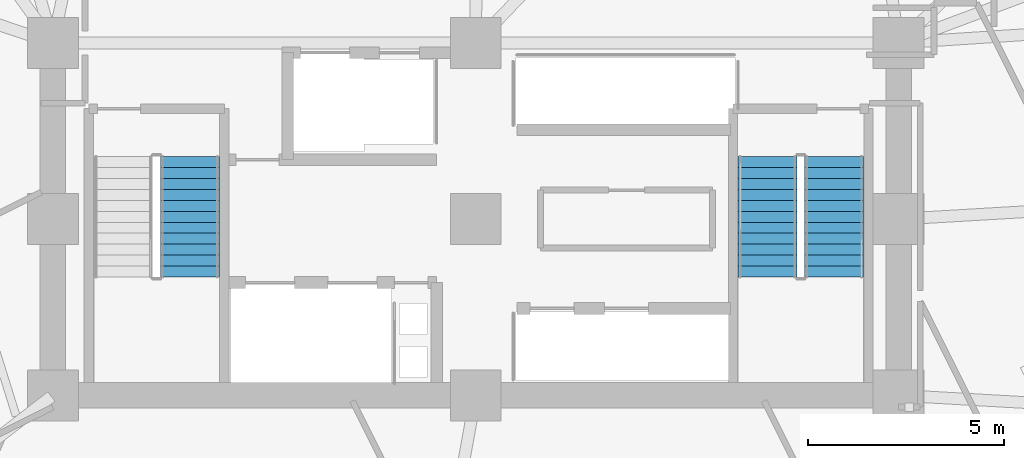
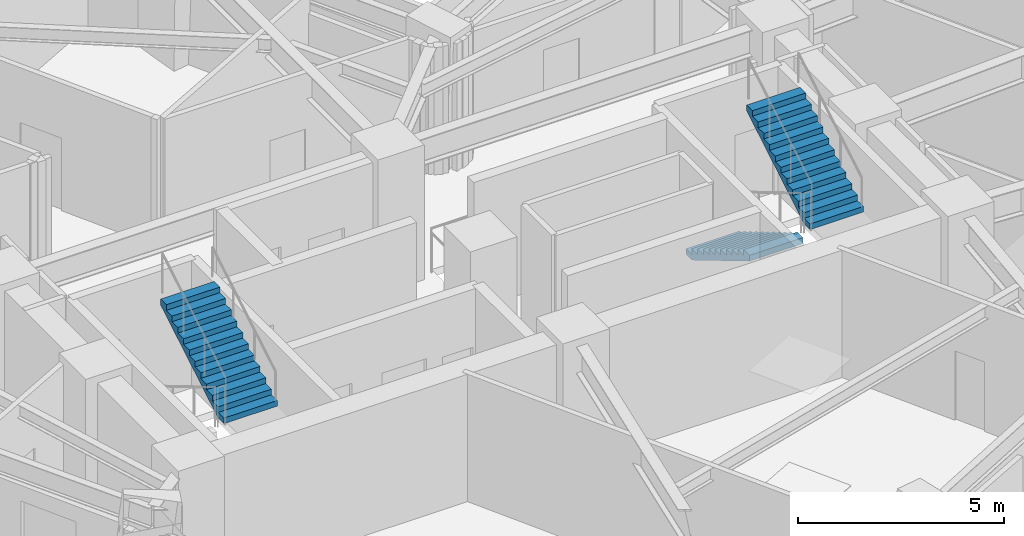
# One storey, part 12 of 16: 3 stair flights, 2 elements without a shape of their own.
"""IFC4 building model written with IfcOpenShell, lengths in metres."""

from ifc_helpers import new_model, si_unit, direction, frame, origin, place, context, subcontext, project, spatial, polyline, outline, extrude, material, type_object, element, aggregate, save


model = new_model("IFC4")

# Units and contexts
model_context = context("Model", 3, precision=1e-05, world=origin(), true_north=direction((0.0, 1.0)))
body_context = subcontext(model_context, "Body", "Model", "MODEL_VIEW")
ifc_project = project(units=[si_unit("LENGTHUNIT", "METRE"), si_unit("AREAUNIT", "SQUARE_METRE"), si_unit("VOLUMEUNIT", "CUBIC_METRE"), si_unit("PLANEANGLEUNIT", "RADIAN"), si_unit("MASSUNIT", "GRAM", prefix="KILO")], contexts=[model_context])

# Site, building, storey
site_placement = place(None, origin())
site = spatial("IfcSite", under=ifc_project, at=site_placement, CompositionType="ELEMENT")
building_placement = place(site_placement, origin())
building = spatial("IfcBuilding", under=site, at=building_placement, Name="Gaonmaruhae Medical Tower", CompositionType="ELEMENT")
storey_placement = place(building_placement, frame((0.0, 0.0, 136.39990234375)))
storey = spatial("IfcBuildingStorey", under=building, at=storey_placement, Name="L32", CompositionType="ELEMENT", Elevation=136.39990234375)

# Stair, stair flight
ifc_material = material(Name="Concrete C40/50", Category="concrete")
stair_type = type_object("IfcStairType", Name="ST-T1 Primary Core Escape Dogleg Stair", PredefinedType="TWO_QUARTER_TURN_STAIR", material=ifc_material)
stair_1_placement = place(storey_placement, origin())
stair_1 = element("IfcStair", 1, at=stair_1_placement, inside=storey, type_object=stair_type, Name="L32 Protected Escape Stair ST-01", PredefinedType="TWO_QUARTER_TURN_STAIR")
stair_flight_type = type_object("IfcStairFlightType", Name="SF-T1 Primary Core Precast Stair Flight", PredefinedType="STRAIGHT", material=ifc_material)
stair_flight_1_placement = place(storey_placement, frame((17.5, 10.820068359375, 2.0), z_axis=(0.0, 0.0, 1.0), x_axis=(0.0, 1.0, 0.0)))
stair_flight_1 = element("IfcStairFlight", 2, at=stair_flight_1_placement, type_object=stair_flight_type, Name="ST-01 flight 2", NumberOfRisers=12, NumberOfTreads=11, PredefinedType="STRAIGHT", RiserHeight=0.166666667, TreadLength=0.28, context=body_context, shape_type="SweptSolid", body=[
    extrude(outline(polyline([(0.0, 0.0), (0.0, 0.166748046875), (0.280029296875, 0.166748046875), (0.280029296875, 0.333251953125), (0.56005859375, 0.333251953125), (0.56005859375, 0.5), (0.840087890625, 0.5), (0.840087890625, 0.666748046875), (1.1201171875, 0.666748046875), (1.1201171875, 0.833251953125), (1.39990234375, 0.833251953125), (1.39990234375, 1.0), (1.679931640625, 1.0), (1.679931640625, 1.166748046875), (1.9599609375, 1.166748046875), (1.9599609375, 1.333251953125), (2.239990234375, 1.333251953125), (2.239990234375, 1.5), (2.52001953125, 1.5), (2.52001953125, 1.666748046875), (2.800048828125, 1.666748046875), (2.800048828125, 1.833251953125), (3.080078125, 1.833251953125), (3.080078125, 2.0), (3.080078125, 1.658935546875), (0.29296875, 0.0), (0.0, 0.0)])), frame((0.0, 0.75, 0.0), z_axis=(0.0, -1.0, 0.0), x_axis=(1.0, 0.0, 0.0)), (0.0, 0.0, 1.0), 1.5),
])
aggregate(stair_1, [stair_flight_1])

# Stair, stair flights
stair_2_placement = place(storey_placement, origin())
stair_2 = element("IfcStair", 3, at=stair_2_placement, inside=storey, type_object=stair_type, Name="L32 Protected Escape Stair ST-02", PredefinedType="TWO_QUARTER_TURN_STAIR")
stair_flight_2_placement = place(storey_placement, frame((32.25, 13.89990234375, 0.0), z_axis=(0.0, 0.0, 1.0), x_axis=(0.0, -1.0, 0.0)))
stair_flight_2 = element("IfcStairFlight", 4, at=stair_flight_2_placement, type_object=stair_flight_type, Name="ST-02 flight 1", NumberOfRisers=12, NumberOfTreads=11, PredefinedType="STRAIGHT", RiserHeight=0.166666667, TreadLength=0.28, context=body_context, shape_type="SweptSolid", body=[
    extrude(outline(polyline([(0.0, 0.0), (0.0, 0.166748046875), (0.280029296875, 0.166748046875), (0.280029296875, 0.333251953125), (0.56005859375, 0.333251953125), (0.56005859375, 0.5), (0.840087890625, 0.5), (0.840087890625, 0.666748046875), (1.1201171875, 0.666748046875), (1.1201171875, 0.833251953125), (1.39990234375, 0.833251953125), (1.39990234375, 1.0), (1.679931640625, 1.0), (1.679931640625, 1.166748046875), (1.9599609375, 1.166748046875), (1.9599609375, 1.333251953125), (2.239990234375, 1.333251953125), (2.239990234375, 1.5), (2.52001953125, 1.5), (2.52001953125, 1.666748046875), (2.800048828125, 1.666748046875), (2.800048828125, 1.833251953125), (3.080078125, 1.833251953125), (3.080078125, 2.0), (3.080078125, 1.658935546875), (0.29296875, 0.0), (0.0, 0.0)])), frame((0.0, 0.75, 0.0), z_axis=(0.0, -1.0, 0.0), x_axis=(1.0, 0.0, 0.0)), (0.0, 0.0, 1.0), 1.5),
])
stair_flight_3_placement = place(storey_placement, frame((33.949951171875, 10.820068359375, 2.0), z_axis=(0.0, 0.0, 1.0), x_axis=(0.0, 1.0, 0.0)))
stair_flight_3 = element("IfcStairFlight", 5, at=stair_flight_3_placement, type_object=stair_flight_type, Name="ST-02 flight 2", NumberOfRisers=12, NumberOfTreads=11, PredefinedType="STRAIGHT", RiserHeight=0.166666667, TreadLength=0.28, context=body_context, shape_type="SweptSolid", body=[
    extrude(outline(polyline([(0.0, 0.0), (0.0, 0.166748046875), (0.280029296875, 0.166748046875), (0.280029296875, 0.333251953125), (0.56005859375, 0.333251953125), (0.56005859375, 0.5), (0.840087890625, 0.5), (0.840087890625, 0.666748046875), (1.1201171875, 0.666748046875), (1.1201171875, 0.833251953125), (1.39990234375, 0.833251953125), (1.39990234375, 1.0), (1.679931640625, 1.0), (1.679931640625, 1.166748046875), (1.9599609375, 1.166748046875), (1.9599609375, 1.333251953125), (2.239990234375, 1.333251953125), (2.239990234375, 1.5), (2.52001953125, 1.5), (2.52001953125, 1.666748046875), (2.800048828125, 1.666748046875), (2.800048828125, 1.833251953125), (3.080078125, 1.833251953125), (3.080078125, 2.0), (3.080078125, 1.658935546875), (0.29296875, 0.0), (0.0, 0.0)])), frame((0.0, 0.75, 0.0), z_axis=(0.0, -1.0, 0.0), x_axis=(1.0, 0.0, 0.0)), (0.0, 0.0, 1.0), 1.5),
])
aggregate(stair_2, [stair_flight_2, stair_flight_3])

save(model, "model.ifc")
